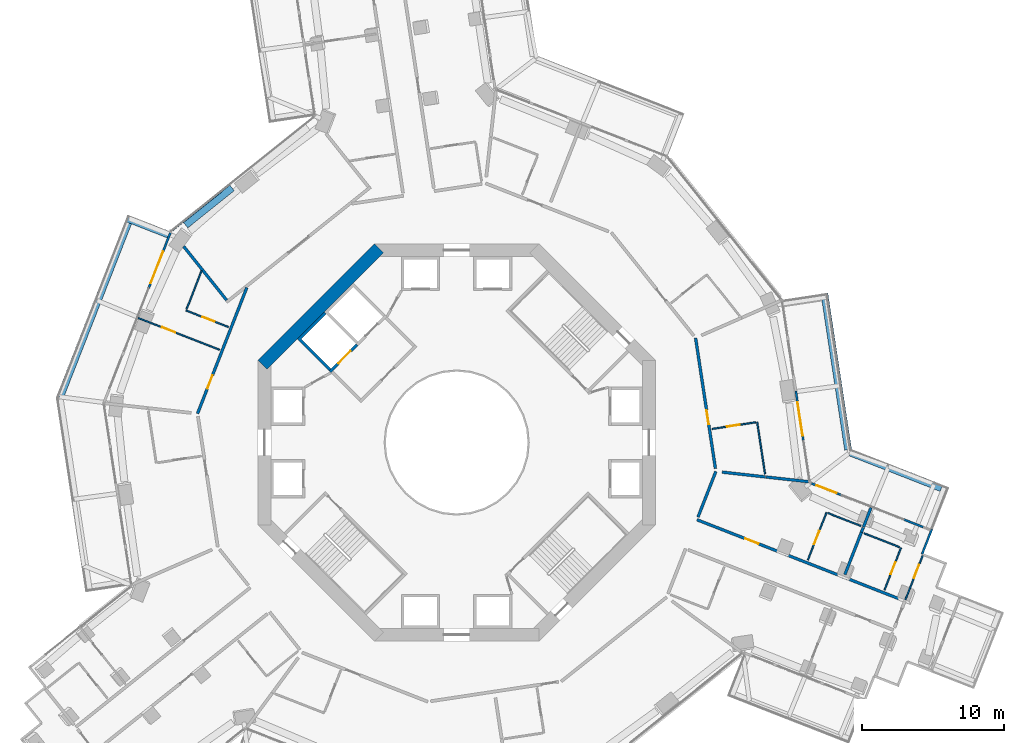
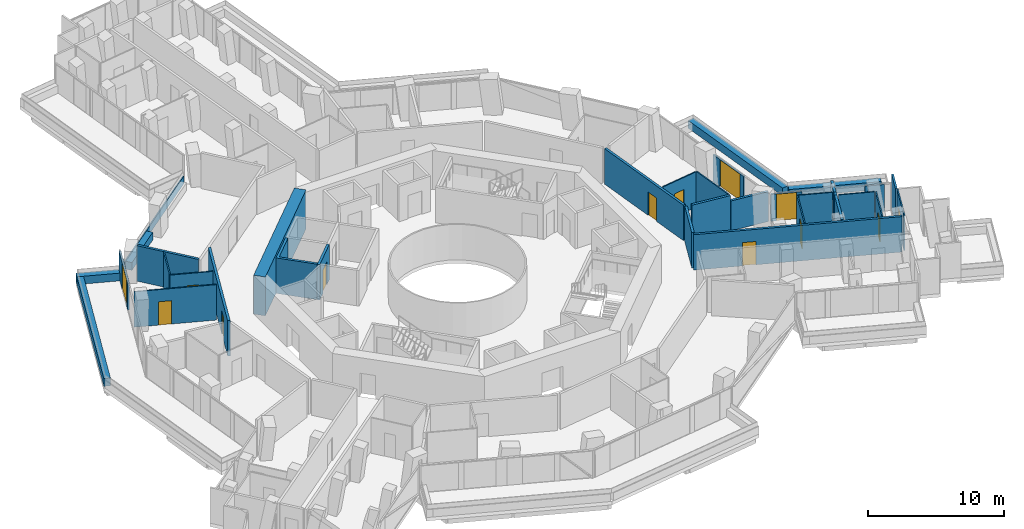
# One storey, part 22 of 28: 34 walls, 13 doors, 13 openings.
"""IFC4 building model written with IfcOpenShell, lengths in metres."""

from ifc_helpers import new_model, si_unit, direction, frame, frame_2d, origin, place, context, subcontext, project, spatial, polyline, rectangle, outline, extrude, material, layer, layer_set, type_object, element, fill, save


model = new_model("IFC4")

# Units and contexts
model_context = context("Model", 3, precision=1e-05, world=origin(), true_north=direction((0.0, 1.0)))
body_context = subcontext(model_context, "Body", "Model", "MODEL_VIEW")
ifc_project = project(units=[si_unit("LENGTHUNIT", "METRE"), si_unit("AREAUNIT", "SQUARE_METRE"), si_unit("VOLUMEUNIT", "CUBIC_METRE"), si_unit("PLANEANGLEUNIT", "RADIAN"), si_unit("MASSUNIT", "GRAM", prefix="KILO")], contexts=[model_context])

# Site, building, storey
site_placement = place(None, origin())
site = spatial("IfcSite", under=ifc_project, at=site_placement, CompositionType="ELEMENT")
building_placement = place(site_placement, origin())
building = spatial("IfcBuilding", under=site, at=building_placement, Name="Verdalira Terraces Hotel", CompositionType="ELEMENT")
storey_placement = place(building_placement, frame((0.0, 0.0, 68.0)))
storey = spatial("IfcBuildingStorey", under=building, at=storey_placement, Name="L15", CompositionType="ELEMENT", Elevation=68.0)

# Walls
ifc_material_1 = material(Name="Concrete C40", Category="concrete")
ifc_layer_1 = layer(ifc_material_1, 0.5)
ifc_layer_set_1 = layer_set([ifc_layer_1], Name="Balcony planter trough with tree")
wall_type_1 = type_object("IfcWallType", Name="Balcony planter trough with tree", PredefinedType="SOLIDWALL", material=ifc_layer_set_1)
wall_1_placement = place(storey_placement, frame((-20.31665, 14.656494, 0.0), z_axis=(0.0, 0.0, 1.0), x_axis=(-0.931296817, 0.364261223, 0.0)))
element("IfcWall", 1, at=wall_1_placement, inside=storey, type_object=wall_type_1, Name="Balcony planter", PredefinedType="SOLIDWALL", context=body_context, shape_type="SweptSolid", body=[
    extrude(rectangle(XDim=3.198975, YDim=0.5, at=frame_2d((1.599609, 0.0))), origin(), (0.0, 0.0, 1.0), 0.699951),
])
wall_2_placement = place(storey_placement, frame((-23.154053, 15.497803, 0.0), z_axis=(0.0, 0.0, 1.0), x_axis=(-0.364230183, -0.931308957, 0.0)))
element("IfcWall", 2, at=wall_2_placement, inside=storey, type_object=wall_type_1, Name="Balcony planter", PredefinedType="SOLIDWALL", context=body_context, shape_type="SweptSolid", body=[
    extrude(rectangle(XDim=13.223633, YDim=0.5, at=frame_2d((6.611816, 0.0))), origin(), (0.0, 0.0, 1.0), 0.699951),
])
wall_3_placement = place(storey_placement, frame((34.171631, -3.217285, 0.0), z_axis=(0.0, 0.0, 1.0), x_axis=(-0.931303408, 0.364244371, 0.0)))
element("IfcWall", 3, at=wall_3_placement, inside=storey, type_object=wall_type_1, Name="Balcony planter", PredefinedType="SOLIDWALL", context=body_context, shape_type="SweptSolid", body=[
    extrude(rectangle(XDim=6.890381, YDim=0.5, at=frame_2d((3.445312, 0.0))), origin(), (0.0, 0.0, 1.0), 0.699951),
])
wall_4_placement = place(storey_placement, frame((27.598389, -0.512207, 0.0), z_axis=(0.0, 0.0, 1.0), x_axis=(-0.150217802, 0.988652928, 0.0)))
element("IfcWall", 4, at=wall_4_placement, inside=storey, type_object=wall_type_1, Name="Balcony planter", PredefinedType="SOLIDWALL", context=body_context, shape_type="SweptSolid", body=[
    extrude(rectangle(XDim=11.152344, YDim=0.5, at=frame_2d((5.576172, 0.0))), origin(), (0.0, 0.0, 1.0), 0.699951),
])

# Wall, opening, door
ifc_material_2 = material(Name="Moisture-resistant gypsum board partition")
ifc_layer_2 = layer(ifc_material_2, 0.10009765625)
ifc_layer_set_2 = layer_set([ifc_layer_2], Name="Bathroom partition 100 mm")
wall_type_2 = type_object("IfcWallType", Name="Bathroom partition 100 mm", PredefinedType="PARTITIONING", material=ifc_layer_set_2)
wall_5_placement = place(storey_placement, frame((-22.452393, 8.781006, 0.0), z_axis=(0.0, 0.0, 1.0), x_axis=(0.93131012, -0.36422721, 0.0)))
wall_5 = element("IfcWall", 5, at=wall_5_placement, inside=storey, type_object=wall_type_2, Name="Bathroom partition", PredefinedType="PARTITIONING", context=body_context, shape_type="SweptSolid", body=[
    extrude(rectangle(XDim=6.149902, YDim=0.100098, at=frame_2d((3.074951, 0.0))), origin(), (0.0, 0.0, 1.0), 3.189941),
])
opening_1_placement = place(wall_5_placement, frame((1.800049, 0.0, 0.0)))
opening_1 = element("IfcOpeningElement", 6, at=opening_1_placement, cuts=wall_5, Name="Opening L15-110", PredefinedType="OPENING", context=body_context, shape_type="SweptSolid", body=[
    extrude(rectangle(XDim=1.0, YDim=2.100098, at=frame_2d((0.5, 1.050049))), frame((0.0, 0.060059, 0.0), z_axis=(0.0, -1.0, 0.0), x_axis=(1.0, 0.0, 0.0)), (0.0, 0.0, 1.0), 0.120117),
])
ifc_material_3 = material(Name="Timber door", Category="wood")
door_type_1 = type_object("IfcDoorType", Name="Suite internal door 1000 x 2100", OperationType="NOTDEFINED", PredefinedType="DOOR", material=ifc_material_3)
door_1_placement = place(opening_1_placement, origin())
door_1 = element("IfcDoor", 7, at=door_1_placement, inside=storey, type_object=door_type_1, Name="Suite internal door 1504", OperationType="SINGLE_SWING_LEFT", OverallHeight=2.10009765625, OverallWidth=1.0, PredefinedType="DOOR", context=body_context, shape_type="SweptSolid", body=[
    extrude(rectangle(XDim=1.0, YDim=2.100098, at=frame_2d((0.5, 1.050049))), frame((0.0, 0.024902, 0.0), z_axis=(0.0, -1.0, 0.0), x_axis=(1.0, 0.0, 0.0)), (0.0, 0.0, 1.0), 0.050049),
])
fill(opening_1, door_1)

# Wall
wall_6_placement = place(storey_placement, frame((-17.982178, 12.111816, 0.0), z_axis=(0.0, 0.0, 1.0), x_axis=(-0.364209666, -0.931316981, 0.0)))
element("IfcWall", 8, at=wall_6_placement, inside=storey, type_object=wall_type_2, Name="Bathroom partition", PredefinedType="PARTITIONING", context=body_context, shape_type="SweptSolid", body=[
    extrude(rectangle(XDim=2.911865, YDim=0.100098, at=frame_2d((1.456055, 0.0))), origin(), (0.0, 0.0, 1.0), 3.189941),
])

# Wall, opening, door
wall_7_placement = place(storey_placement, frame((-19.079102, 9.306641, 0.0), z_axis=(0.0, 0.0, 1.0), x_axis=(0.931311427, -0.364223868, 0.0)))
wall_7 = element("IfcWall", 9, at=wall_7_placement, inside=storey, type_object=wall_type_2, Name="Bathroom partition", PredefinedType="PARTITIONING", context=body_context, shape_type="SweptSolid", body=[
    extrude(rectangle(XDim=3.199951, YDim=0.100098, at=frame_2d((1.600098, 0.0))), origin(), (0.0, 0.0, 1.0), 3.189941),
])
opening_2_placement = place(wall_7_placement, frame((1.25, 0.0, 0.0)))
opening_2 = element("IfcOpeningElement", 10, at=opening_2_placement, cuts=wall_7, Name="Opening L15-111", PredefinedType="OPENING", context=body_context, shape_type="SweptSolid", body=[
    extrude(rectangle(XDim=0.899902, YDim=2.100098, at=frame_2d((0.449951, 1.050049))), frame((0.0, 0.060059, 0.0), z_axis=(0.0, -1.0, 0.0), x_axis=(1.0, 0.0, 0.0)), (0.0, 0.0, 1.0), 0.120117),
])
ifc_material_4 = material(Name="Timber door", Category="wood")
door_type_2 = type_object("IfcDoorType", Name="Bathroom door 900 x 2100", OperationType="NOTDEFINED", PredefinedType="DOOR", material=ifc_material_4)
door_2_placement = place(opening_2_placement, origin())
door_2 = element("IfcDoor", 11, at=door_2_placement, inside=storey, type_object=door_type_2, Name="Bathroom door 1504", OperationType="SINGLE_SWING_LEFT", OverallHeight=2.10009765625, OverallWidth=0.89990234375, PredefinedType="DOOR", context=body_context, shape_type="SweptSolid", body=[
    extrude(rectangle(XDim=0.899902, YDim=2.100098, at=frame_2d((0.449951, 1.050049))), frame((0.0, 0.024902, 0.0), z_axis=(0.0, -1.0, 0.0), x_axis=(1.0, 0.0, 0.0)), (0.0, 0.0, 1.0), 0.050049),
])
fill(opening_2, door_2)

wall_8_placement = place(storey_placement, frame((21.083496, 1.425049, 0.0), z_axis=(0.0, 0.0, 1.0), x_axis=(-0.988656748, -0.150192657, 0.0)))
wall_8 = element("IfcWall", 12, at=wall_8_placement, inside=storey, type_object=wall_type_2, Name="Bathroom partition", PredefinedType="PARTITIONING", context=body_context, shape_type="SweptSolid", body=[
    extrude(rectangle(XDim=3.099854, YDim=0.100098, at=frame_2d((1.549805, 0.0))), origin(), (0.0, 0.0, 1.0), 3.189941),
])
opening_3_placement = place(wall_8_placement, frame((1.149902, 0.0, 0.0)))
opening_3 = element("IfcOpeningElement", 13, at=opening_3_placement, cuts=wall_8, Name="Opening L15-133", PredefinedType="OPENING", context=body_context, shape_type="SweptSolid", body=[
    extrude(rectangle(XDim=0.899902, YDim=2.100098, at=frame_2d((0.449951, 1.050049))), frame((0.0, 0.060059, 0.0), z_axis=(0.0, -1.0, 0.0), x_axis=(1.0, 0.0, 0.0)), (0.0, 0.0, 1.0), 0.120117),
])
door_3_placement = place(opening_3_placement, origin())
door_3 = element("IfcDoor", 14, at=door_3_placement, inside=storey, type_object=door_type_2, Name="Bathroom door 1514", OperationType="SINGLE_SWING_LEFT", OverallHeight=2.10009765625, OverallWidth=0.89990234375, PredefinedType="DOOR", context=body_context, shape_type="SweptSolid", body=[
    extrude(rectangle(XDim=0.899902, YDim=2.100098, at=frame_2d((0.449951, 1.050049))), frame((0.0, 0.024902, 0.0), z_axis=(0.0, -1.0, 0.0), x_axis=(1.0, 0.0, 0.0)), (0.0, 0.0, 1.0), 0.050049),
])
fill(opening_3, door_3)

# Wall
wall_9_placement = place(storey_placement, frame((21.182373, 1.440186, 0.0), z_axis=(0.0, 0.0, 1.0), x_axis=(0.150219315, -0.988652698, 0.0)))
element("IfcWall", 15, at=wall_9_placement, inside=storey, type_object=wall_type_2, Name="Bathroom partition", PredefinedType="PARTITIONING", context=body_context, shape_type="SweptSolid", body=[
    extrude(rectangle(XDim=3.703857, YDim=0.100098, at=frame_2d((1.852051, 0.0))), origin(), (0.0, 0.0, 1.0), 3.189941),
])

# Wall, opening, door
wall_10_placement = place(storey_placement, frame((26.070801, -4.93457, 0.0), z_axis=(0.0, 0.0, 1.0), x_axis=(-0.364235697, -0.931306801, 0.0)))
wall_10 = element("IfcWall", 16, at=wall_10_placement, inside=storey, type_object=wall_type_2, Name="Bathroom partition", PredefinedType="PARTITIONING", context=body_context, shape_type="SweptSolid", body=[
    extrude(rectangle(XDim=3.600098, YDim=0.100098, at=frame_2d((1.800049, 0.0))), origin(), (0.0, 0.0, 1.0), 3.189941),
])
opening_4_placement = place(wall_10_placement, frame((1.399902, 0.0, 0.0)))
opening_4 = element("IfcOpeningElement", 17, at=opening_4_placement, cuts=wall_10, Name="Opening L15-131", PredefinedType="OPENING", context=body_context, shape_type="SweptSolid", body=[
    extrude(rectangle(XDim=1.0, YDim=2.100098, at=frame_2d((0.5, 1.050049))), frame((0.0, 0.060059, 0.0), z_axis=(0.0, -1.0, 0.0), x_axis=(1.0, 0.0, 0.0)), (0.0, 0.0, 1.0), 0.120117),
])
ifc_material_5 = material(Name="Timber door", Category="wood")
door_type_3 = type_object("IfcDoorType", Name="Bathroom door 1000 x 2100", OperationType="NOTDEFINED", PredefinedType="DOOR", material=ifc_material_5)
door_4_placement = place(opening_4_placement, origin())
door_4 = element("IfcDoor", 18, at=door_4_placement, inside=storey, type_object=door_type_3, Name="Bathroom door 1513", OperationType="SINGLE_SWING_LEFT", OverallHeight=2.10009765625, OverallWidth=1.0, PredefinedType="DOOR", context=body_context, shape_type="SweptSolid", body=[
    extrude(rectangle(XDim=1.0, YDim=2.100098, at=frame_2d((0.5, 1.050049))), frame((0.0, 0.024902, 0.0), z_axis=(0.0, -1.0, 0.0), x_axis=(1.0, 0.0, 0.0)), (0.0, 0.0, 1.0), 0.050049),
])
fill(opening_4, door_4)

# Walls
wall_11_placement = place(storey_placement, frame((26.163818, -4.970947, 0.0), z_axis=(0.0, 0.0, 1.0), x_axis=(0.931304719, -0.364241019, 0.0)))
element("IfcWall", 19, at=wall_11_placement, inside=storey, type_object=wall_type_2, Name="Bathroom partition", PredefinedType="PARTITIONING", context=body_context, shape_type="SweptSolid", body=[
    extrude(rectangle(XDim=2.5, YDim=0.100098, at=frame_2d((1.25, 0.0))), origin(), (0.0, 0.0, 1.0), 3.189941),
])
wall_12_placement = place(storey_placement, frame((31.233398, -7.383301, 0.0), z_axis=(0.0, 0.0, 1.0), x_axis=(-0.931305472, 0.364239095, 0.0)))
element("IfcWall", 20, at=wall_12_placement, inside=storey, type_object=wall_type_2, Name="Bathroom partition", PredefinedType="PARTITIONING", context=body_context, shape_type="SweptSolid", body=[
    extrude(rectangle(XDim=2.699951, YDim=0.100098, at=frame_2d((1.350098, 0.0))), origin(), (0.0, 0.0, 1.0), 3.189941),
])

# Wall, opening, door
wall_13_placement = place(storey_placement, frame((30.161133, -10.399902, 0.0), z_axis=(0.0, 0.0, 1.0), x_axis=(0.364223868, 0.931311427, 0.0)))
wall_13 = element("IfcWall", 21, at=wall_13_placement, inside=storey, type_object=wall_type_2, Name="Bathroom partition", PredefinedType="PARTITIONING", context=body_context, shape_type="SweptSolid", body=[
    extrude(rectangle(XDim=3.199951, YDim=0.100098, at=frame_2d((1.600098, 0.0))), origin(), (0.0, 0.0, 1.0), 3.189941),
])
opening_5_placement = place(wall_13_placement, frame((1.199951, 0.0, 0.0)))
opening_5 = element("IfcOpeningElement", 22, at=opening_5_placement, cuts=wall_13, Name="Opening L15-129", PredefinedType="OPENING", context=body_context, shape_type="SweptSolid", body=[
    extrude(rectangle(XDim=0.899902, YDim=2.100098, at=frame_2d((0.449951, 1.050049))), frame((0.0, 0.060059, 0.0), z_axis=(0.0, -1.0, 0.0), x_axis=(1.0, 0.0, 0.0)), (0.0, 0.0, 1.0), 0.120117),
])
door_5_placement = place(opening_5_placement, origin())
door_5 = element("IfcDoor", 23, at=door_5_placement, inside=storey, type_object=door_type_2, Name="Bathroom door 1512", OperationType="SINGLE_SWING_RIGHT", OverallHeight=2.10009765625, OverallWidth=0.89990234375, PredefinedType="DOOR", context=body_context, shape_type="SweptSolid", body=[
    extrude(rectangle(XDim=0.899902, YDim=2.100098, at=frame_2d((0.449951, 1.050049))), frame((0.0, 0.024902, 0.0), z_axis=(0.0, -1.0, 0.0), x_axis=(1.0, 0.0, 0.0)), (0.0, 0.0, 1.0), 0.050049),
])
fill(opening_5, door_5)

wall_14_placement = place(storey_placement, frame((31.632324, -11.08252, 0.0), z_axis=(0.0, 0.0, 1.0), x_axis=(0.364259282, 0.931297576, 0.0)))
wall_14 = element("IfcWall", 24, at=wall_14_placement, inside=storey, type_object=wall_type_2, Name="Bathroom partition", PredefinedType="PARTITIONING", context=body_context, shape_type="SweptSolid", body=[
    extrude(rectangle(XDim=3.351807, YDim=0.100098, at=frame_2d((1.675781, 0.0))), origin(), (0.0, 0.0, 1.0), 3.189941),
])
opening_6_placement = place(wall_14_placement, frame((1.649902, 0.0, 0.0)))
opening_6 = element("IfcOpeningElement", 25, at=opening_6_placement, cuts=wall_14, Name="Opening L15-128", PredefinedType="OPENING", context=body_context, shape_type="SweptSolid", body=[
    extrude(rectangle(XDim=1.0, YDim=2.100098, at=frame_2d((0.5, 1.050049))), frame((0.0, 0.060059, 0.0), z_axis=(0.0, -1.0, 0.0), x_axis=(1.0, 0.0, 0.0)), (0.0, 0.0, 1.0), 0.120117),
])
door_6_placement = place(opening_6_placement, origin())
door_6 = element("IfcDoor", 26, at=door_6_placement, inside=storey, type_object=door_type_1, Name="Suite internal door 1512", OperationType="SINGLE_SWING_LEFT", OverallHeight=2.10009765625, OverallWidth=1.0, PredefinedType="DOOR", context=body_context, shape_type="SweptSolid", body=[
    extrude(rectangle(XDim=1.0, YDim=2.100098, at=frame_2d((0.5, 1.050049))), frame((0.0, 0.024902, 0.0), z_axis=(0.0, -1.0, 0.0), x_axis=(1.0, 0.0, 0.0)), (0.0, 0.0, 1.0), 0.050049),
])
fill(opening_6, door_6)

# Wall
ifc_material_6 = material(Name="Concrete C50", Category="concrete")
ifc_layer_3 = layer(ifc_material_6, 0.199951171875)
ifc_layer_set_3 = layer_set([ifc_layer_3], Name="Core RC wall 200 C50")
wall_type_3 = type_object("IfcWallType", Name="Core RC wall 200 C50", PredefinedType="SOLIDWALL", material=ifc_layer_set_3)
wall_15_placement = place(storey_placement, origin())
element("IfcWall", 27, at=wall_15_placement, inside=storey, type_object=wall_type_3, Name="L15 shaft wall F2", PredefinedType="SOLIDWALL", context=body_context, shape_type="SweptSolid", body=[
    extrude(outline(polyline([(-11.24292, 7.283203), (-9.33374, 9.192383), (-9.192383, 9.051025), (-10.960205, 7.283203), (-8.874268, 5.197266), (-9.015625, 5.055908), (-11.24292, 7.283203)])), origin(), (0.0, 0.0, 1.0), 3.189941),
])

# Wall, opening, door
wall_16_placement = place(storey_placement, frame((-7.035645, 6.894287, 0.0), z_axis=(0.0, 0.0, 1.0), x_axis=(-0.707106781, -0.707106781, 0.0)))
wall_16 = element("IfcWall", 28, at=wall_16_placement, inside=storey, type_object=wall_type_3, Name="L15 shaft front wall F2", PredefinedType="SOLIDWALL", context=body_context, shape_type="SweptSolid", body=[
    extrude(rectangle(XDim=2.699951, YDim=0.199951, at=frame_2d((1.350098, 0.0))), origin(), (0.0, 0.0, 1.0), 3.189941),
])
opening_7_placement = place(wall_16_placement, frame((0.649902, 0.0, 0.0)))
opening_7 = element("IfcOpeningElement", 29, at=opening_7_placement, cuts=wall_16, Name="Opening LD-L15-808", PredefinedType="OPENING", context=body_context, shape_type="SweptSolid", body=[
    extrude(rectangle(XDim=1.199951, YDim=2.100098, at=frame_2d((0.600098, 1.050049))), frame((0.0, 0.109863, 0.0), z_axis=(0.0, -1.0, 0.0), x_axis=(1.0, 0.0, 0.0)), (0.0, 0.0, 1.0), 0.219971),
])
ifc_material_7 = material(Name="Stainless steel", Category="steel")
door_type_4 = type_object("IfcDoorType", Name="Landing door 1200 x 2100", OperationType="NOTDEFINED", PredefinedType="DOOR", material=ifc_material_7)
door_7_placement = place(opening_7_placement, origin())
door_7 = element("IfcDoor", 30, at=door_7_placement, inside=storey, type_object=door_type_4, Name="Lift landing door LF12 L15", OperationType="DOUBLE_DOOR_SLIDING", OverallHeight=2.10009765625, OverallWidth=1.199951171875, PredefinedType="DOOR", context=body_context, shape_type="SweptSolid", body=[
    extrude(rectangle(XDim=1.199951, YDim=2.100098, at=frame_2d((0.600098, 1.050049))), frame((0.0, 0.024902, 0.0), z_axis=(0.0, -1.0, 0.0), x_axis=(1.0, 0.0, 0.0)), (0.0, 0.0, 1.0), 0.050049),
])
fill(opening_7, door_7)

# Walls
ifc_material_8 = material(Name="Concrete C70", Category="concrete")
ifc_layer_4 = layer(ifc_material_8, 0.89990234375)
ifc_layer_set_4 = layer_set([ifc_layer_4], Name="Core wall 900 C70")
wall_type_4 = type_object("IfcWallType", Name="Core wall 900 C70", PredefinedType="SHEAR", material=ifc_layer_set_4)
wall_17_placement = place(storey_placement, frame((-5.480713, 13.681885, 0.0), z_axis=(0.0, 0.0, 1.0), x_axis=(-0.707106781, -0.707106781, 0.0)))
element("IfcWall", 31, at=wall_17_placement, inside=storey, type_object=wall_type_4, Name="Core wall CW-L15-4", PredefinedType="SHEAR", context=body_context, shape_type="SweptSolid", body=[
    extrude(rectangle(XDim=11.598145, YDim=0.899902, at=frame_2d((5.799072, 0.0))), origin(), (0.0, 0.0, 1.0), 3.5),
])
ifc_material_9 = material(Name="Fire-rated gypsum board wall")
ifc_layer_5 = layer(ifc_material_9, 0.199951171875)
ifc_layer_set_5 = layer_set([ifc_layer_5], Name="Demising wall 200 mm")
wall_type_5 = type_object("IfcWallType", Name="Demising wall 200 mm", PredefinedType="SOLIDWALL", material=ifc_layer_set_5)
wall_18_placement = place(storey_placement, frame((18.716064, -2.086182, 0.0), z_axis=(0.0, 0.0, 1.0), x_axis=(0.993846884, -0.110762675, 0.0)))
element("IfcWall", 32, at=wall_18_placement, inside=storey, type_object=wall_type_5, Name="Demising wall", PredefinedType="SOLIDWALL", context=body_context, shape_type="SweptSolid", body=[
    extrude(rectangle(XDim=3.074707, YDim=0.199951, at=frame_2d((1.537354, 0.0))), origin(), (0.0, 0.0, 1.0), 3.189941),
])
wall_19_placement = place(storey_placement, frame((27.367188, -9.307129, 0.0), z_axis=(0.0, 0.0, 1.0), x_axis=(0.364223868, 0.931311427, 0.0)))
element("IfcWall", 33, at=wall_19_placement, inside=storey, type_object=wall_type_5, Name="Demising wall", PredefinedType="SOLIDWALL", context=body_context, shape_type="SweptSolid", body=[
    extrude(rectangle(XDim=3.199951, YDim=0.199951, at=frame_2d((1.600098, 0.0))), origin(), (0.0, 0.0, 1.0), 3.189941),
])
wall_20_placement = place(storey_placement, frame((28.532715, -6.326904, 0.0), z_axis=(0.0, 0.0, 1.0), x_axis=(0.364320852, 0.931273492, 0.0)))
element("IfcWall", 34, at=wall_20_placement, inside=storey, type_object=wall_type_5, Name="Demising wall", PredefinedType="SOLIDWALL", context=body_context, shape_type="SweptSolid", body=[
    extrude(rectangle(XDim=0.351807, YDim=0.199951, at=frame_2d((0.175781, 0.0))), origin(), (0.0, 0.0, 1.0), 3.189941),
])
wall_21_placement = place(storey_placement, frame((28.677734, -5.956299, 0.0), z_axis=(0.0, 0.0, 1.0), x_axis=(0.36419013, 0.931324621, 0.0)))
element("IfcWall", 35, at=wall_21_placement, inside=storey, type_object=wall_type_5, Name="Demising wall", PredefinedType="SOLIDWALL", context=body_context, shape_type="SweptSolid", body=[
    extrude(rectangle(XDim=1.451904, YDim=0.199951, at=frame_2d((0.726074, 0.0))), origin(), (0.0, 0.0, 1.0), 3.189941),
])
ifc_material_10 = material(Name="Fire-rated gypsum board wall")
ifc_layer_6 = layer(ifc_material_10, 0.199951171875)
ifc_layer_set_6 = layer_set([ifc_layer_6], Name="Demising wall 200 mm to beam soffit")
wall_type_6 = type_object("IfcWallType", Name="Demising wall 200 mm to beam soffit", PredefinedType="SOLIDWALL", material=ifc_layer_set_6)
wall_22_placement = place(storey_placement, frame((21.817383, -2.431885, 0.0), z_axis=(0.0, 0.0, 1.0), x_axis=(0.993849082, -0.110742952, 0.0)))
element("IfcWall", 36, at=wall_22_placement, inside=storey, type_object=wall_type_6, Name="Demising wall", PredefinedType="SOLIDWALL", context=body_context, shape_type="SweptSolid", body=[
    extrude(rectangle(XDim=3.011475, YDim=0.199951, at=frame_2d((1.505859, 0.0))), origin(), (0.0, 0.0, 1.0), 2.689941),
])

# Wall, opening, door
ifc_material_11 = material(Name="Fire-rated gypsum board wall")
ifc_layer_7 = layer(ifc_material_11, 0.199951171875)
ifc_layer_set_7 = layer_set([ifc_layer_7], Name="Guest corridor wall 200 mm")
wall_type_7 = type_object("IfcWallType", Name="Guest corridor wall 200 mm", PredefinedType="SOLIDWALL", material=ifc_layer_set_7)
wall_23_placement = place(storey_placement, frame((-18.271484, 2.036621, 0.0), z_axis=(0.0, 0.0, 1.0), x_axis=(0.364215942, 0.931314527, 0.0)))
wall_23 = element("IfcWall", 37, at=wall_23_placement, inside=storey, type_object=wall_type_7, Name="Guest corridor wall", PredefinedType="SOLIDWALL", context=body_context, shape_type="SweptSolid", body=[
    extrude(rectangle(XDim=9.536621, YDim=0.199951, at=frame_2d((4.768311, 0.0))), origin(), (0.0, 0.0, 1.0), 3.189941),
])
opening_8_placement = place(wall_23_placement, frame((1.899902, 0.0, 0.0)))
opening_8 = element("IfcOpeningElement", 38, at=opening_8_placement, cuts=wall_23, Name="Opening L15-109", PredefinedType="OPENING", context=body_context, shape_type="SweptSolid", body=[
    extrude(rectangle(XDim=1.0, YDim=2.100098, at=frame_2d((0.5, 1.050049))), frame((0.0, 0.109863, 0.0), z_axis=(0.0, -1.0, 0.0), x_axis=(1.0, 0.0, 0.0)), (0.0, 0.0, 1.0), 0.219971),
])
ifc_material_12 = material(Name="Timber fire door", Category="wood")
door_type_5 = type_object("IfcDoorType", Name="Guest entry door 1000 x 2100", OperationType="NOTDEFINED", PredefinedType="DOOR", material=ifc_material_12)
door_8_placement = place(opening_8_placement, origin())
door_8 = element("IfcDoor", 39, at=door_8_placement, inside=storey, type_object=door_type_5, Name="Guest entry door 1504", OperationType="SINGLE_SWING_LEFT", OverallHeight=2.10009765625, OverallWidth=1.0, PredefinedType="DOOR", context=body_context, shape_type="SweptSolid", body=[
    extrude(rectangle(XDim=1.0, YDim=2.100098, at=frame_2d((0.5, 1.050049))), frame((0.0, 0.024902, 0.0), z_axis=(0.0, -1.0, 0.0), x_axis=(1.0, 0.0, 0.0)), (0.0, 0.0, 1.0), 0.050049),
])
fill(opening_8, door_8)

wall_24_placement = place(storey_placement, frame((16.842041, 7.37207, 0.0), z_axis=(0.0, 0.0, 1.0), x_axis=(0.150231533, -0.988650842, 0.0)))
wall_24 = element("IfcWall", 40, at=wall_24_placement, inside=storey, type_object=wall_type_7, Name="Guest corridor wall", PredefinedType="SOLIDWALL", context=body_context, shape_type="SweptSolid", body=[
    extrude(rectangle(XDim=9.31665, YDim=0.199951, at=frame_2d((4.658203, 0.0))), origin(), (0.0, 0.0, 1.0), 3.189941),
])
opening_9_placement = place(wall_24_placement, frame((5.149902, 0.0, 0.0)))
opening_9 = element("IfcOpeningElement", 41, at=opening_9_placement, cuts=wall_24, Name="Opening L15-132", PredefinedType="OPENING", context=body_context, shape_type="SweptSolid", body=[
    extrude(rectangle(XDim=1.0, YDim=2.100098, at=frame_2d((0.5, 1.050049))), frame((0.0, 0.109863, 0.0), z_axis=(0.0, -1.0, 0.0), x_axis=(1.0, 0.0, 0.0)), (0.0, 0.0, 1.0), 0.219971),
])
door_9_placement = place(opening_9_placement, origin())
door_9 = element("IfcDoor", 42, at=door_9_placement, inside=storey, type_object=door_type_5, Name="Guest entry door 1514", OperationType="SINGLE_SWING_LEFT", OverallHeight=2.10009765625, OverallWidth=1.0, PredefinedType="DOOR", context=body_context, shape_type="SweptSolid", body=[
    extrude(rectangle(XDim=1.0, YDim=2.100098, at=frame_2d((0.5, 1.050049))), frame((0.0, 0.024902, 0.0), z_axis=(0.0, -1.0, 0.0), x_axis=(1.0, 0.0, 0.0)), (0.0, 0.0, 1.0), 0.050049),
])
fill(opening_9, door_9)

# Wall
wall_25_placement = place(storey_placement, frame((17.011963, -5.257324, 0.0), z_axis=(0.0, 0.0, 1.0), x_axis=(0.364210349, 0.931316714, 0.0)))
element("IfcWall", 43, at=wall_25_placement, inside=storey, type_object=wall_type_7, Name="Guest corridor wall", PredefinedType="SOLIDWALL", context=body_context, shape_type="SweptSolid", body=[
    extrude(rectangle(XDim=3.458252, YDim=0.199951, at=frame_2d((1.729004, 0.0))), origin(), (0.0, 0.0, 1.0), 3.189941),
])

# Wall, opening, door
wall_26_placement = place(storey_placement, frame((16.939209, -5.443604, 0.0), z_axis=(0.0, 0.0, 1.0), x_axis=(0.931312079, -0.3642222, 0.0)))
wall_26 = element("IfcWall", 44, at=wall_26_placement, inside=storey, type_object=wall_type_7, Name="Guest corridor wall", PredefinedType="SOLIDWALL", context=body_context, shape_type="SweptSolid", body=[
    extrude(rectangle(XDim=15.537598, YDim=0.199951, at=frame_2d((7.768799, 0.0))), origin(), (0.0, 0.0, 1.0), 3.189941),
])
opening_10_placement = place(wall_26_placement, frame((3.649902, 0.0, 0.0)))
opening_10 = element("IfcOpeningElement", 45, at=opening_10_placement, cuts=wall_26, Name="Opening L15-130", PredefinedType="OPENING", context=body_context, shape_type="SweptSolid", body=[
    extrude(rectangle(XDim=1.0, YDim=2.100098, at=frame_2d((0.5, 1.050049))), frame((0.0, 0.109863, 0.0), z_axis=(0.0, -1.0, 0.0), x_axis=(1.0, 0.0, 0.0)), (0.0, 0.0, 1.0), 0.219971),
])
door_10_placement = place(opening_10_placement, origin())
door_10 = element("IfcDoor", 46, at=door_10_placement, inside=storey, type_object=door_type_5, Name="Guest entry door 1513", OperationType="SINGLE_SWING_LEFT", OverallHeight=2.10009765625, OverallWidth=1.0, PredefinedType="DOOR", context=body_context, shape_type="SweptSolid", body=[
    extrude(rectangle(XDim=1.0, YDim=2.100098, at=frame_2d((0.5, 1.050049))), frame((0.0, 0.024902, 0.0), z_axis=(0.0, -1.0, 0.0), x_axis=(1.0, 0.0, 0.0)), (0.0, 0.0, 1.0), 0.050049),
])
fill(opening_10, door_10)

# Walls
ifc_material_13 = material(Name="Terracotta cladding", Category="masonry")
ifc_layer_8 = layer(ifc_material_13, 0.199951171875)
ifc_layer_set_8 = layer_set([ifc_layer_8], Name="Loggia back wall 200")
wall_type_8 = type_object("IfcWallType", Name="Loggia back wall 200", PredefinedType="SOLIDWALL", material=ifc_layer_set_8)
wall_27_placement = place(storey_placement, frame((-19.247803, 13.827393, 0.0), z_axis=(0.0, 0.0, 1.0), x_axis=(0.624425498, -0.781084373, 0.0)))
element("IfcWall", 47, at=wall_27_placement, inside=storey, type_object=wall_type_8, Name="Loggia side wall", PredefinedType="SOLIDWALL", context=body_context, shape_type="SweptSolid", body=[
    extrude(rectangle(XDim=4.86084, YDim=0.199951, at=frame_2d((2.43042, 0.0))), origin(), (0.0, 0.0, 1.0), 3.189941),
])
ifc_material_14 = material(Name="Concrete C40", Category="concrete")
ifc_layer_9 = layer(ifc_material_14, 0.5)
ifc_layer_set_9 = layer_set([ifc_layer_9], Name="Loggia planter trough with tree")
wall_type_9 = type_object("IfcWallType", Name="Loggia planter trough with tree", PredefinedType="SOLIDWALL", material=ifc_layer_set_9)
wall_28_placement = place(storey_placement, frame((-15.835449, 17.949707, 0.0), z_axis=(0.0, 0.0, 1.0), x_axis=(-0.781095726, -0.624411296, 0.0)))
element("IfcWall", 48, at=wall_28_placement, inside=storey, type_object=wall_type_9, Name="Loggia planter", PredefinedType="SOLIDWALL", context=body_context, shape_type="SweptSolid", body=[
    extrude(rectangle(XDim=4.197754, YDim=0.5, at=frame_2d((2.098877, 0.0))), origin(), (0.0, 0.0, 1.0), 0.699951),
])
ifc_material_15 = material(Name="Concrete C40", Category="concrete")
ifc_layer_10 = layer(ifc_material_15, 0.10009765625)
ifc_layer_set_10 = layer_set([ifc_layer_10], Name="Loggia upstand 100")
wall_type_10 = type_object("IfcWallType", Name="Loggia upstand 100", PredefinedType="SOLIDWALL", material=ifc_layer_set_10)
wall_29_placement = place(storey_placement, frame((-10.101807, 22.91748, 0.0), z_axis=(0.0, 0.0, 1.0), x_axis=(-0.781083948, -0.624426029, 0.0)))
element("IfcWall", 49, at=wall_29_placement, inside=storey, type_object=wall_type_10, Name="Loggia upstand", PredefinedType="SOLIDWALL", context=body_context, shape_type="SweptSolid", body=[
    extrude(rectangle(XDim=12.839844, YDim=0.100098, at=frame_2d((6.419922, 0.0))), origin(), (0.0, 0.0, 1.0), 0.699951),
])
ifc_material_16 = material(Name="Terracotta cladding", Category="masonry")
ifc_layer_11 = layer(ifc_material_16, 0.14990234375)
ifc_layer_set_11 = layer_set([ifc_layer_11], Name="Terracotta clad wall 150")
wall_type_11 = type_object("IfcWallType", Name="Terracotta clad wall 150", PredefinedType="SOLIDWALL", material=ifc_layer_set_11)
wall_30_placement = place(storey_placement, frame((32.810059, -7.865479, 0.0), z_axis=(0.0, 0.0, 1.0), x_axis=(0.364217678, 0.931313848, 0.0)))
element("IfcWall", 50, at=wall_30_placement, inside=storey, type_object=wall_type_11, Name="Terracotta cladding wall", PredefinedType="SOLIDWALL", context=body_context, shape_type="SweptSolid", body=[
    extrude(rectangle(XDim=1.874756, YDim=0.149902, at=frame_2d((0.9375, 0.0))), origin(), (0.0, 0.0, 1.0), 3.189941),
])
ifc_material_17 = material(Name="Terracotta cladding", Category="masonry")
ifc_layer_12 = layer(ifc_material_17, 0.14990234375)
ifc_layer_set_12 = layer_set([ifc_layer_12], Name="Terracotta column pier 150")
wall_type_12 = type_object("IfcWallType", Name="Terracotta column pier 150", PredefinedType="SOLIDWALL", material=ifc_layer_set_12)
wall_31_placement = place(storey_placement, frame((32.883545, -5.96167, 0.0), z_axis=(0.0, 0.0, 1.0), x_axis=(-0.931252608, 0.364374232, 0.0)))
element("IfcWall", 51, at=wall_31_placement, inside=storey, type_object=wall_type_12, Name="Terracotta column pier", PredefinedType="SOLIDWALL", context=body_context, shape_type="SweptSolid", body=[
    extrude(rectangle(XDim=1.466064, YDim=0.149902, at=frame_2d((0.73291, 0.0))), origin(), (0.0, 0.0, 1.0), 2.425049),
])

# Wall, opening, door
ifc_material_18 = material(Name="Terracotta cladding", Category="masonry")
ifc_layer_13 = layer(ifc_material_18, 0.14990234375)
ifc_layer_set_13 = layer_set([ifc_layer_13], Name="Terracotta door pier 150")
wall_type_13 = type_object("IfcWallType", Name="Terracotta door pier 150", PredefinedType="SOLIDWALL", material=ifc_layer_set_13)
wall_32_placement = place(storey_placement, frame((-20.176514, 14.805908, 0.0), z_axis=(0.0, 0.0, 1.0), x_axis=(-0.364229957, -0.931309046, 0.0)))
wall_32 = element("IfcWall", 52, at=wall_32_placement, inside=storey, type_object=wall_type_13, Name="Terracotta door pier", PredefinedType="SOLIDWALL", context=body_context, shape_type="SweptSolid", body=[
    extrude(rectangle(XDim=4.239014, YDim=0.149902, at=frame_2d((2.119629, 0.0))), origin(), (0.0, 0.0, 1.0), 2.425049),
])
opening_11_placement = place(wall_32_placement, frame((1.438721, 0.0, 0.0)))
opening_11 = element("IfcOpeningElement", 53, at=opening_11_placement, cuts=wall_32, Name="Opening L15-B07", PredefinedType="OPENING", context=body_context, shape_type="SweptSolid", body=[
    extrude(rectangle(XDim=2.399902, YDim=2.399902, at=frame_2d((1.199951, 1.199951))), frame((0.0, 0.084961, 0.0), z_axis=(0.0, -1.0, 0.0), x_axis=(1.0, 0.0, 0.0)), (0.0, 0.0, 1.0), 0.169922),
])
ifc_material_19 = material(Name="Clear glass", Category="glass")
door_type_6 = type_object("IfcDoorType", Name="Balcony sliding door 2400x2400", OperationType="NOTDEFINED", PredefinedType="DOOR", material=ifc_material_19)
door_11_placement = place(opening_11_placement, origin())
door_11 = element("IfcDoor", 54, at=door_11_placement, inside=storey, type_object=door_type_6, Name="Balcony sliding door", OperationType="SLIDING_TO_LEFT", OverallHeight=2.39990234375, OverallWidth=2.39990234375, PredefinedType="DOOR", context=body_context, shape_type="SweptSolid", body=[
    extrude(rectangle(XDim=2.399902, YDim=2.399902, at=frame_2d((1.199951, 1.199951))), frame((0.0, 0.024902, 0.0), z_axis=(0.0, -1.0, 0.0), x_axis=(1.0, 0.0, 0.0)), (0.0, 0.0, 1.0), 0.050049),
])
fill(opening_11, door_11)

wall_33_placement = place(storey_placement, frame((27.139404, -3.715088, 0.0), z_axis=(0.0, 0.0, 1.0), x_axis=(-0.931325758, 0.364187221, 0.0)))
wall_33 = element("IfcWall", 55, at=wall_33_placement, inside=storey, type_object=wall_type_13, Name="Terracotta door pier", PredefinedType="SOLIDWALL", context=body_context, shape_type="SweptSolid", body=[
    extrude(rectangle(XDim=2.300049, YDim=0.149902, at=frame_2d((1.149902, 0.0))), origin(), (0.0, 0.0, 1.0), 2.425049),
])
opening_12_placement = place(wall_33_placement, frame((0.399902, 0.0, 0.0)))
opening_12 = element("IfcOpeningElement", 56, at=opening_12_placement, cuts=wall_33, Name="Opening L15-B18", PredefinedType="OPENING", context=body_context, shape_type="SweptSolid", body=[
    extrude(rectangle(XDim=1.5, YDim=2.399902, at=frame_2d((0.75, 1.199951))), frame((0.0, 0.084961, 0.0), z_axis=(0.0, -1.0, 0.0), x_axis=(1.0, 0.0, 0.0)), (0.0, 0.0, 1.0), 0.169922),
])
ifc_material_20 = material(Name="Clear glass", Category="glass")
door_type_7 = type_object("IfcDoorType", Name="Balcony sliding door 1500x2400", OperationType="NOTDEFINED", PredefinedType="DOOR", material=ifc_material_20)
door_12_placement = place(opening_12_placement, origin())
door_12 = element("IfcDoor", 57, at=door_12_placement, inside=storey, type_object=door_type_7, Name="Balcony sliding door", OperationType="SLIDING_TO_RIGHT", OverallHeight=2.39990234375, OverallWidth=1.5, PredefinedType="DOOR", context=body_context, shape_type="SweptSolid", body=[
    extrude(rectangle(XDim=1.5, YDim=2.399902, at=frame_2d((0.75, 1.199951))), frame((0.0, 0.024902, 0.0), z_axis=(0.0, -1.0, 0.0), x_axis=(1.0, 0.0, 0.0)), (0.0, 0.0, 1.0), 0.050049),
])
fill(opening_12, door_12)

wall_34_placement = place(storey_placement, frame((24.449707, 0.07373, 0.0), z_axis=(0.0, 0.0, 1.0), x_axis=(-0.150207135, 0.988654549, 0.0)))
wall_34 = element("IfcWall", 58, at=wall_34_placement, inside=storey, type_object=wall_type_13, Name="Terracotta door pier", PredefinedType="SOLIDWALL", context=body_context, shape_type="SweptSolid", body=[
    extrude(rectangle(XDim=3.600098, YDim=0.149902, at=frame_2d((1.800049, 0.0))), origin(), (0.0, 0.0, 1.0), 2.425049),
])
opening_13_placement = place(wall_34_placement, frame((0.399902, 0.0, 0.0)))
opening_13 = element("IfcOpeningElement", 59, at=opening_13_placement, cuts=wall_34, Name="Opening L15-B19", PredefinedType="OPENING", context=body_context, shape_type="SweptSolid", body=[
    extrude(rectangle(XDim=2.399902, YDim=2.399902, at=frame_2d((1.199951, 1.199951))), frame((0.0, 0.084961, 0.0), z_axis=(0.0, -1.0, 0.0), x_axis=(1.0, 0.0, 0.0)), (0.0, 0.0, 1.0), 0.169922),
])
door_13_placement = place(opening_13_placement, origin())
door_13 = element("IfcDoor", 60, at=door_13_placement, inside=storey, type_object=door_type_6, Name="Balcony sliding door", OperationType="SLIDING_TO_RIGHT", OverallHeight=2.39990234375, OverallWidth=2.39990234375, PredefinedType="DOOR", context=body_context, shape_type="SweptSolid", body=[
    extrude(rectangle(XDim=2.399902, YDim=2.399902, at=frame_2d((1.199951, 1.199951))), frame((0.0, 0.024902, 0.0), z_axis=(0.0, -1.0, 0.0), x_axis=(1.0, 0.0, 0.0)), (0.0, 0.0, 1.0), 0.050049),
])
fill(opening_13, door_13)

save(model, "model.ifc")
